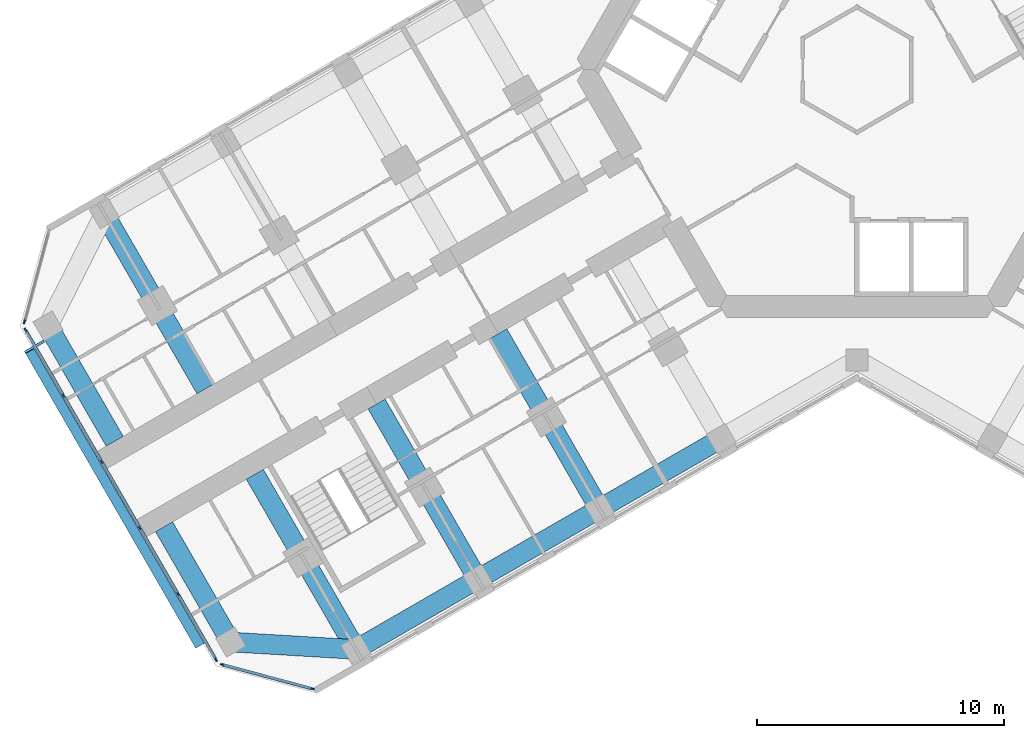
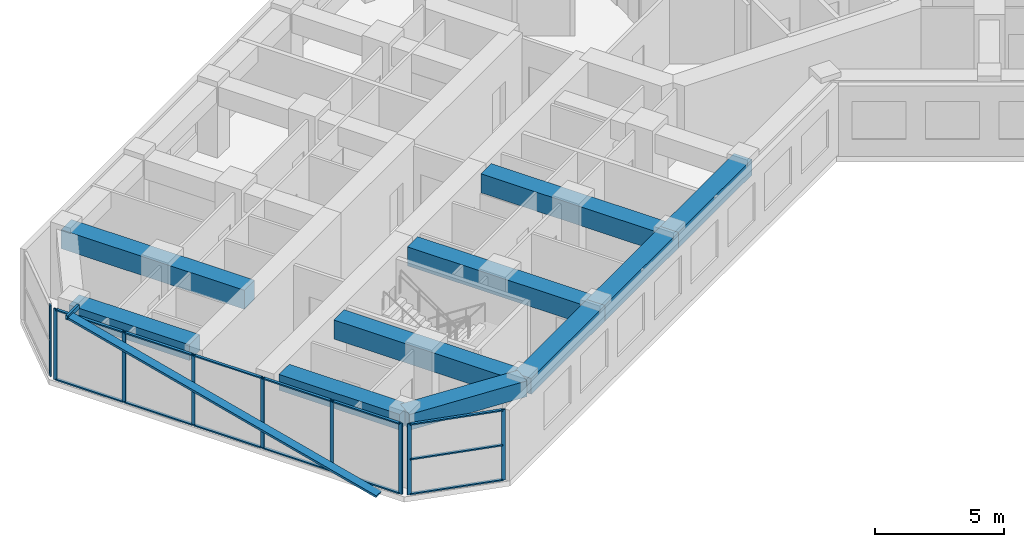
# One storey, part 2 of 19: 24 members, 10 beams, 3 elements without a shape of their own.
"""IFC4 building model written with IfcOpenShell, lengths in metres."""

from ifc_helpers import new_model, si_unit, direction, frame, origin, origin_2d, place, context, subcontext, project, spatial, rectangle, hollow_rectangle, extrude, material, material_profile, profile_set, type_object, element, aggregate, save


model = new_model("IFC4")

# Units and contexts
model_context = context("Model", 3, precision=1e-05, world=origin(), true_north=direction((0.0, 1.0)))
body_context = subcontext(model_context, "Body", "Model", "MODEL_VIEW")
ifc_project = project(units=[si_unit("LENGTHUNIT", "METRE"), si_unit("AREAUNIT", "SQUARE_METRE"), si_unit("VOLUMEUNIT", "CUBIC_METRE"), si_unit("PLANEANGLEUNIT", "RADIAN"), si_unit("MASSUNIT", "GRAM", prefix="KILO")], contexts=[model_context])

# Site, building, storey
site_placement = place(None, origin())
site = spatial("IfcSite", under=ifc_project, at=site_placement, CompositionType="ELEMENT")
building_placement = place(site_placement, origin())
building = spatial("IfcBuilding", under=site, at=building_placement, Name="Kosmar Iwan School Tower", CompositionType="ELEMENT")
storey_placement = place(building_placement, frame((0.0, 0.0, 172.39990234375)))
storey = spatial("IfcBuildingStorey", under=building, at=storey_placement, Name="L43", CompositionType="ELEMENT", Elevation=172.39990234375)

# Members
ifc_material_1 = material(Name="Black anodised aluminium", Category="aluminium")
ifc_material_profile_1 = material_profile(ifc_material_1, rectangle(XDim=0.10009765625, YDim=0.39990234375, at=origin_2d()), Name="FIN 100x400")
ifc_profile_set_1 = profile_set([ifc_material_profile_1], Name="Black anodised aluminium")
member_type_1 = type_object("IfcMemberType", Name="Diagonal fin 100x400", PredefinedType="USERDEFINED", material=ifc_profile_set_1)
member_1_placement = place(storey_placement, frame((-26.645263671875, -23.34912109375, -0.14990234375), z_axis=(-0.483793446988, 0.837970316603, 0.25248692866), x_axis=(0.126241714543, -0.218661104574, 0.96760030532)))
element("IfcMember", 1, at=member_1_placement, inside=storey, type_object=member_type_1, Name="Diagonal fin L43-F13", ObjectType="FIN", PredefinedType="USERDEFINED", context=body_context, shape_type="SweptSolid", body=[
    extrude(rectangle(XDim=0.10009765625, YDim=0.39990234375, at=origin_2d()), origin(), (0.0, 0.0, 1.0), 14.258544921875),
])
ifc_material_2 = material(Name="Steel S355", Category="steel")
ifc_material_profile_2 = material_profile(ifc_material_2, hollow_rectangle(XDim=0.10009765625, YDim=0.199951171875, WallThickness=0.008056640625, at=origin_2d()), Name="RHS 200x100x8")
ifc_profile_set_2 = profile_set([ifc_material_profile_2], Name="Steel S355")
member_type_2 = type_object("IfcMemberType", Name="Fin bracket RHS 200x100", PredefinedType="USERDEFINED", material=ifc_profile_set_2)
member_2_placement = place(storey_placement, frame((-32.963134765625, -11.006103515625, 3.47509765625), z_axis=(-0.866081705922, -0.499902469156, 0.0), x_axis=(0.499902469156, -0.866081705922, 0.0)))
element("IfcMember", 2, at=member_2_placement, inside=storey, type_object=member_type_2, Name="Fin bracket L44", ObjectType="FIN BRACKET", PredefinedType="USERDEFINED", context=body_context, shape_type="SweptSolid", body=[
    extrude(hollow_rectangle(XDim=0.10009765625, YDim=0.199951171875, WallThickness=0.008056640625, at=origin_2d()), origin(), (0.0, 0.0, 1.0), 0.900146484375),
])

# Curtain wall, member
ifc_material_3 = material(Name="Dark glass in black aluminium frame", Category="aluminium")
curtain_wall_type_1 = type_object("IfcCurtainWallType", Name="Chamfer curtain wall dark glass", PredefinedType="USERDEFINED", material=ifc_material_3)
curtain_wall_1_placement = place(storey_placement, origin())
curtain_wall_1 = element("IfcCurtainWall", 3, at=curtain_wall_1_placement, inside=storey, type_object=curtain_wall_type_1, Name="Curtain wall L43-F12", ObjectType="FACETED CURTAIN WALL", PredefinedType="USERDEFINED")
ifc_material_4 = material(Name="Black anodised aluminium", Category="aluminium")
ifc_material_profile_3 = material_profile(ifc_material_4, rectangle(XDim=0.06005859375, YDim=0.159912109375, at=origin_2d()), Name="MULLION 60x160")
ifc_profile_set_3 = profile_set([ifc_material_profile_3], Name="Black anodised aluminium")
member_type_3 = type_object("IfcMemberType", Name="Mullion 60x160", PredefinedType="MULLION", material=ifc_profile_set_3)
member_3_placement = place(storey_placement, frame((-33.7587890625, -10.2236328125, 0.0), z_axis=(0.0, 0.0, 1.0), x_axis=(0.965925875495, -0.258818861462, 0.0)))
member_3 = element("IfcMember", 4, at=member_3_placement, type_object=member_type_3, Name="CW2 mullion 2", PredefinedType="MULLION", context=body_context, shape_type="SweptSolid", body=[
    extrude(rectangle(XDim=0.06005859375, YDim=0.159912109375, at=origin_2d()), origin(), (0.0, 0.0, 1.0), 3.35009765625),
])
aggregate(curtain_wall_1, [member_3])

# Curtain wall, members
ifc_material_5 = material(Name="Dark glass in black aluminium frame", Category="aluminium")
curtain_wall_type_2 = type_object("IfcCurtainWallType", Name="Tower curtain wall dark glass", PredefinedType="USERDEFINED", material=ifc_material_5)
curtain_wall_2_placement = place(storey_placement, origin())
curtain_wall_2 = element("IfcCurtainWall", 5, at=curtain_wall_2_placement, inside=storey, type_object=curtain_wall_type_2, Name="Curtain wall L43-F13", ObjectType="UNITISED CURTAIN WALL", PredefinedType="USERDEFINED")
member_4_placement = place(storey_placement, frame((-33.71533203125, -10.55322265625, 0.0), z_axis=(0.0, 0.0, 1.0), x_axis=(0.866025405329, 0.499999997325, 0.0)))
member_4 = element("IfcMember", 6, at=member_4_placement, type_object=member_type_3, Name="CW1 mullion 1", PredefinedType="MULLION", context=body_context, shape_type="SweptSolid", body=[
    extrude(rectangle(XDim=0.06005859375, YDim=0.159912109375, at=origin_2d()), origin(), (0.0, 0.0, 1.0), 3.35009765625),
])
member_5_placement = place(storey_placement, frame((-32.1806640625, -13.21142578125, 0.0), z_axis=(0.0, 0.0, 1.0), x_axis=(0.866025405329, 0.499999997325, 0.0)))
member_5 = element("IfcMember", 7, at=member_5_placement, type_object=member_type_3, Name="CW1 mullion 2", PredefinedType="MULLION", context=body_context, shape_type="SweptSolid", body=[
    extrude(rectangle(XDim=0.06005859375, YDim=0.159912109375, at=origin_2d()), origin(), (0.0, 0.0, 1.0), 3.35009765625),
])
member_6_placement = place(storey_placement, frame((-30.631103515625, -15.8955078125, 0.0), z_axis=(0.0, 0.0, 1.0), x_axis=(0.866025405329, 0.499999997325, 0.0)))
member_6 = element("IfcMember", 8, at=member_6_placement, type_object=member_type_3, Name="CW1 mullion 3", PredefinedType="MULLION", context=body_context, shape_type="SweptSolid", body=[
    extrude(rectangle(XDim=0.06005859375, YDim=0.159912109375, at=origin_2d()), origin(), (0.0, 0.0, 1.0), 3.35009765625),
])
member_7_placement = place(storey_placement, frame((-29.081298828125, -18.57958984375, 0.0), z_axis=(0.0, 0.0, 1.0), x_axis=(0.866025405329, 0.499999997325, 0.0)))
member_7 = element("IfcMember", 9, at=member_7_placement, type_object=member_type_3, Name="CW1 mullion 4", PredefinedType="MULLION", context=body_context, shape_type="SweptSolid", body=[
    extrude(rectangle(XDim=0.06005859375, YDim=0.159912109375, at=origin_2d()), origin(), (0.0, 0.0, 1.0), 3.35009765625),
])
member_8_placement = place(storey_placement, frame((-27.53173828125, -21.263671875, 0.0), z_axis=(0.0, 0.0, 1.0), x_axis=(0.866025405329, 0.499999997325, 0.0)))
member_8 = element("IfcMember", 10, at=member_8_placement, type_object=member_type_3, Name="CW1 mullion 5", PredefinedType="MULLION", context=body_context, shape_type="SweptSolid", body=[
    extrude(rectangle(XDim=0.06005859375, YDim=0.159912109375, at=origin_2d()), origin(), (0.0, 0.0, 1.0), 3.35009765625),
])
member_9_placement = place(storey_placement, frame((-25.9970703125, -23.921630859375, 0.0), z_axis=(0.0, 0.0, 1.0), x_axis=(0.866025405329, 0.499999997325, 0.0)))
member_9 = element("IfcMember", 11, at=member_9_placement, type_object=member_type_3, Name="CW1 mullion 6", PredefinedType="MULLION", context=body_context, shape_type="SweptSolid", body=[
    extrude(rectangle(XDim=0.06005859375, YDim=0.159912109375, at=origin_2d()), origin(), (0.0, 0.0, 1.0), 3.35009765625),
])

curtain_wall_3_placement = place(storey_placement, origin())
curtain_wall_3 = element("IfcCurtainWall", 12, at=curtain_wall_3_placement, inside=storey, type_object=curtain_wall_type_1, Name="Curtain wall L43-F14", ObjectType="FACETED CURTAIN WALL", PredefinedType="USERDEFINED")
member_10_placement = place(storey_placement, frame((-25.733154296875, -24.124267578125, 0.0), z_axis=(0.0, 0.0, 1.0), x_axis=(0.258818861462, 0.965925875495, 0.0)))
member_10 = element("IfcMember", 13, at=member_10_placement, type_object=member_type_3, Name="CW2 mullion 1", PredefinedType="MULLION", context=body_context, shape_type="SweptSolid", body=[
    extrude(rectangle(XDim=0.06005859375, YDim=0.159912109375, at=origin_2d()), origin(), (0.0, 0.0, 1.0), 3.35009765625),
])
member_11_placement = place(storey_placement, frame((-22.0830078125, -25.102294921875, 0.0), z_axis=(0.0, 0.0, 1.0), x_axis=(0.258818861462, 0.965925875495, 0.0)))
member_11 = element("IfcMember", 14, at=member_11_placement, type_object=member_type_3, Name="CW2 mullion 2", PredefinedType="MULLION", context=body_context, shape_type="SweptSolid", body=[
    extrude(rectangle(XDim=0.06005859375, YDim=0.159912109375, at=origin_2d()), origin(), (0.0, 0.0, 1.0), 3.35009765625),
])

# Beams
ifc_material_6 = material(Name="Concrete C50/60", Category="concrete")
ifc_material_profile_4 = material_profile(ifc_material_6, rectangle(XDim=0.800048828125, YDim=0.75, at=origin_2d()), Name="RC 800x750")
ifc_profile_set_4 = profile_set([ifc_material_profile_4], Name="Concrete C50/60")
beam_type_1 = type_object("IfcBeamType", Name="RC edge beam 800x750", PredefinedType="BEAM", material=ifc_profile_set_4)
beam_1_placement = place(storey_placement, frame((-5.5087890625, -14.95849609375, 2.97509765625), z_axis=(-0.866033658841, -0.49998570155, 0.0), x_axis=(0.49998570155, -0.866033658841, 0.0)))
element("IfcBeam", 15, at=beam_1_placement, inside=storey, type_object=beam_type_1, Name="Edge beam BL2", PredefinedType="BEAM", context=body_context, shape_type="SweptSolid", body=[
    extrude(rectangle(XDim=0.800048828125, YDim=0.75, at=origin_2d()), origin(), (0.0, 0.0, 1.0), 5.699951171875),
])
beam_2_placement = place(storey_placement, frame((-10.445068359375, -17.808349609375, 2.97509765625), z_axis=(-0.866025820012, -0.499999279071, 0.0), x_axis=(0.499999279071, -0.866025820012, 0.0)))
element("IfcBeam", 16, at=beam_2_placement, inside=storey, type_object=beam_type_1, Name="Edge beam BL3", PredefinedType="BEAM", context=body_context, shape_type="SweptSolid", body=[
    extrude(rectangle(XDim=0.800048828125, YDim=0.75, at=origin_2d()), origin(), (0.0, 0.0, 1.0), 5.7001953125),
])
beam_3_placement = place(storey_placement, frame((-15.381591796875, -20.658447265625, 2.97509765625), z_axis=(-0.866015111908, -0.50001782563, 0.0), x_axis=(0.50001782563, -0.866015111908, 0.0)))
element("IfcBeam", 17, at=beam_3_placement, inside=storey, type_object=beam_type_1, Name="Edge beam BL4", PredefinedType="BEAM", context=body_context, shape_type="SweptSolid", body=[
    extrude(rectangle(XDim=0.800048828125, YDim=0.75, at=origin_2d()), origin(), (0.0, 0.0, 1.0), 5.699951171875),
])
ifc_material_7 = material(Name="Concrete C50/60", Category="concrete")
ifc_material_profile_5 = material_profile(ifc_material_7, rectangle(XDim=0.800048828125, YDim=0.75, at=origin_2d()), Name="RC 800x750")
ifc_profile_set_5 = profile_set([ifc_material_profile_5], Name="Concrete C50/60")
beam_type_2 = type_object("IfcBeamType", Name="RC tip beam 800x750", PredefinedType="BEAM", material=ifc_profile_set_5)
beam_4_placement = place(storey_placement, frame((-20.31787109375, -23.508544921875, 2.97509765625), z_axis=(-0.998260616478, 0.058955420358, 0.0), x_axis=(-0.058955420358, -0.998260616478, 0.0)))
element("IfcBeam", 18, at=beam_4_placement, inside=storey, type_object=beam_type_2, Name="Tip beam BL", PredefinedType="BEAM", context=body_context, shape_type="SweptSolid", body=[
    extrude(rectangle(XDim=0.800048828125, YDim=0.75, at=origin_2d()), origin(), (0.0, 0.0, 1.0), 5.08935546875),
])
for number, where, z_axis, x_axis, name in (
    (19, (-25.3984375, -23.20849609375, 2.97509765625), (-0.499995103361, 0.866028230842, 0.0), (-0.866028230842, -0.499995103361, 0.0), "Tip beam BL to corridor wall"),
    (20, (-32.79833984375, -10.391357421875, 2.97509765625), (0.499995103361, -0.866028230842, 0.0), (0.866028230842, 0.499995103361, 0.0), "Tip beam BR to corridor wall"),
):
    element("IfcBeam", number, at=place(storey_placement, frame(where, z_axis=z_axis, x_axis=x_axis)), inside=storey, type_object=beam_type_2, Name=name, PredefinedType="BEAM", context=body_context, shape_type="SweptSolid", body=[
        extrude(rectangle(XDim=0.800048828125, YDim=0.75, at=origin_2d()), origin(), (0.0, 0.0, 1.0), 5.39990234375),
    ])
ifc_material_8 = material(Name="Concrete C50/60", Category="concrete")
ifc_material_profile_6 = material_profile(ifc_material_8, rectangle(XDim=0.800048828125, YDim=0.89990234375, at=origin_2d()), Name="RC 800x900")
ifc_profile_set_6 = profile_set([ifc_material_profile_6], Name="Concrete C50/60")
beam_type_3 = type_object("IfcBeamType", Name="RC transverse beam 800x900", PredefinedType="BEAM", material=ifc_profile_set_6)
for number, where, z_axis, x_axis, name in (
    (21, (-10.445068359375, -17.808349609375, 2.900146484375), (-0.500013681986, 0.866017504342, 0.0), (-0.866017504342, -0.500013681986, 0.0), "Transverse beam BL2"),
    (22, (-15.381591796875, -20.658447265625, 2.900146484375), (-0.49999135188, 0.866030396721, 0.0), (-0.866030396721, -0.49999135188, 0.0), "Transverse beam BL3"),
    (23, (-20.31787109375, -23.508544921875, 2.900146484375), (-0.499978459874, 0.866037839625, 0.0), (-0.866037839625, -0.499978459874, 0.0), "Transverse beam BL4"),
    (24, (-30.517822265625, -5.841552734375, 2.900146484375), (0.500013681986, -0.866017504342, 0.0), (0.866017504342, 0.500013681986, 0.0), "Transverse beam BR4"),
):
    element("IfcBeam", number, at=place(storey_placement, frame(where, z_axis=z_axis, x_axis=x_axis)), inside=storey, type_object=beam_type_3, Name=name, PredefinedType="BEAM", context=body_context, shape_type="SweptSolid", body=[
        extrude(rectangle(XDim=0.800048828125, YDim=0.89990234375, at=origin_2d()), origin(), (0.0, 0.0, 1.0), 8.199951171875),
    ])

# Member
ifc_material_9 = material(Name="Black anodised aluminium", Category="aluminium")
ifc_material_profile_7 = material_profile(ifc_material_9, rectangle(XDim=0.1201171875, YDim=0.06005859375, at=origin_2d()), Name="TRANSOM 60x120")
ifc_profile_set_7 = profile_set([ifc_material_profile_7], Name="Black anodised aluminium")
member_type_4 = type_object("IfcMemberType", Name="Transom 60x120", PredefinedType="USERDEFINED", material=ifc_profile_set_7)
member_12_placement = place(storey_placement, frame((-33.700439453125, -10.579345703125, 0.030029296875), z_axis=(0.500022102064, -0.866012642776, 0.0), x_axis=(0.866012642776, 0.500022102064, 0.0)))
member_12 = element("IfcMember", 25, at=member_12_placement, type_object=member_type_4, Name="CW1 transom 1.1", ObjectType="TRANSOM", PredefinedType="USERDEFINED", context=body_context, shape_type="SweptSolid", body=[
    extrude(rectangle(XDim=0.1201171875, YDim=0.06005859375, at=origin_2d()), origin(), (0.0, 0.0, 1.0), 3.009033203125),
])

member_13_placement = place(storey_placement, frame((-33.700439453125, -10.579345703125, 3.320068359375), z_axis=(0.500022102064, -0.866012642776, 0.0), x_axis=(0.866012642776, 0.500022102064, 0.0)))
member_13 = element("IfcMember", 26, at=member_13_placement, type_object=member_type_4, Name="CW1 transom 1.2", ObjectType="TRANSOM", PredefinedType="USERDEFINED", context=body_context, shape_type="SweptSolid", body=[
    extrude(rectangle(XDim=0.1201171875, YDim=0.06005859375, at=origin_2d()), origin(), (0.0, 0.0, 1.0), 3.009033203125),
])

member_14_placement = place(storey_placement, frame((-32.165771484375, -13.2373046875, 0.030029296875), z_axis=(0.500035348339, -0.866004994449, 0.0), x_axis=(0.866004994449, 0.500035348339, 0.0)))
member_14 = element("IfcMember", 27, at=member_14_placement, type_object=member_type_4, Name="CW1 transom 2.1", ObjectType="TRANSOM", PredefinedType="USERDEFINED", context=body_context, shape_type="SweptSolid", body=[
    extrude(rectangle(XDim=0.1201171875, YDim=0.06005859375, at=origin_2d()), origin(), (0.0, 0.0, 1.0), 3.039306640625),
])

member_15_placement = place(storey_placement, frame((-32.165771484375, -13.2373046875, 3.320068359375), z_axis=(0.500035348339, -0.866004994449, 0.0), x_axis=(0.866004994449, 0.500035348339, 0.0)))
member_15 = element("IfcMember", 28, at=member_15_placement, type_object=member_type_4, Name="CW1 transom 2.2", ObjectType="TRANSOM", PredefinedType="USERDEFINED", context=body_context, shape_type="SweptSolid", body=[
    extrude(rectangle(XDim=0.1201171875, YDim=0.06005859375, at=origin_2d()), origin(), (0.0, 0.0, 1.0), 3.039306640625),
])

member_16_placement = place(storey_placement, frame((-30.615966796875, -15.92138671875, 0.030029296875), z_axis=(0.499975102327, -0.866039777986, 0.0), x_axis=(0.866039777986, 0.499975102327, 0.0)))
member_16 = element("IfcMember", 29, at=member_16_placement, type_object=member_type_4, Name="CW1 transom 3.1", ObjectType="TRANSOM", PredefinedType="USERDEFINED", context=body_context, shape_type="SweptSolid", body=[
    extrude(rectangle(XDim=0.1201171875, YDim=0.06005859375, at=origin_2d()), origin(), (0.0, 0.0, 1.0), 3.039306640625),
])

member_17_placement = place(storey_placement, frame((-30.615966796875, -15.92138671875, 3.320068359375), z_axis=(0.499975102327, -0.866039777986, 0.0), x_axis=(0.866039777986, 0.499975102327, 0.0)))
member_17 = element("IfcMember", 30, at=member_17_placement, type_object=member_type_4, Name="CW1 transom 3.2", ObjectType="TRANSOM", PredefinedType="USERDEFINED", context=body_context, shape_type="SweptSolid", body=[
    extrude(rectangle(XDim=0.1201171875, YDim=0.06005859375, at=origin_2d()), origin(), (0.0, 0.0, 1.0), 3.039306640625),
])

member_18_placement = place(storey_placement, frame((-29.06640625, -18.60546875, 0.030029296875), z_axis=(0.499975102327, -0.866039777986, 0.0), x_axis=(0.866039777986, 0.499975102327, 0.0)))
member_18 = element("IfcMember", 31, at=member_18_placement, type_object=member_type_4, Name="CW1 transom 4.1", ObjectType="TRANSOM", PredefinedType="USERDEFINED", context=body_context, shape_type="SweptSolid", body=[
    extrude(rectangle(XDim=0.1201171875, YDim=0.06005859375, at=origin_2d()), origin(), (0.0, 0.0, 1.0), 3.039306640625),
])

member_19_placement = place(storey_placement, frame((-29.06640625, -18.60546875, 3.320068359375), z_axis=(0.499975102327, -0.866039777986, 0.0), x_axis=(0.866039777986, 0.499975102327, 0.0)))
member_19 = element("IfcMember", 32, at=member_19_placement, type_object=member_type_4, Name="CW1 transom 4.2", ObjectType="TRANSOM", PredefinedType="USERDEFINED", context=body_context, shape_type="SweptSolid", body=[
    extrude(rectangle(XDim=0.1201171875, YDim=0.06005859375, at=origin_2d()), origin(), (0.0, 0.0, 1.0), 3.039306640625),
])

member_20_placement = place(storey_placement, frame((-27.516845703125, -21.28955078125, 0.030029296875), z_axis=(0.499986971506, -0.866032925658, 0.0), x_axis=(0.866032925658, 0.499986971506, 0.0)))
member_20 = element("IfcMember", 33, at=member_20_placement, type_object=member_type_4, Name="CW1 transom 5.1", ObjectType="TRANSOM", PredefinedType="USERDEFINED", context=body_context, shape_type="SweptSolid", body=[
    extrude(rectangle(XDim=0.1201171875, YDim=0.06005859375, at=origin_2d()), origin(), (0.0, 0.0, 1.0), 3.00927734375),
])

member_21_placement = place(storey_placement, frame((-27.516845703125, -21.28955078125, 3.320068359375), z_axis=(0.499986971506, -0.866032925658, 0.0), x_axis=(0.866032925658, 0.499986971506, 0.0)))
member_21 = element("IfcMember", 34, at=member_21_placement, type_object=member_type_4, Name="CW1 transom 5.2", ObjectType="TRANSOM", PredefinedType="USERDEFINED", context=body_context, shape_type="SweptSolid", body=[
    extrude(rectangle(XDim=0.1201171875, YDim=0.06005859375, at=origin_2d()), origin(), (0.0, 0.0, 1.0), 3.00927734375),
])

aggregate(curtain_wall_2, [member_4, member_5, member_6, member_7, member_8, member_9, member_12, member_13, member_14, member_15, member_16, member_17, member_18, member_19, member_20, member_21])

member_22_placement = place(storey_placement, frame((-25.704345703125, -24.1318359375, 0.030029296875), z_axis=(0.965923731726, -0.258826861991, 0.0), x_axis=(0.258826861991, 0.965923731726, 0.0)))
member_22 = element("IfcMember", 35, at=member_22_placement, type_object=member_type_4, Name="CW2 transom 1.1", ObjectType="TRANSOM", PredefinedType="USERDEFINED", context=body_context, shape_type="SweptSolid", body=[
    extrude(rectangle(XDim=0.1201171875, YDim=0.06005859375, at=origin_2d()), origin(), (0.0, 0.0, 1.0), 3.71923828125),
])

member_23_placement = place(storey_placement, frame((-25.704345703125, -24.1318359375, 1.675048828125), z_axis=(0.965923731726, -0.258826861991, 0.0), x_axis=(0.258826861991, 0.965923731726, 0.0)))
member_23 = element("IfcMember", 36, at=member_23_placement, type_object=member_type_4, Name="CW2 transom 1.2", ObjectType="TRANSOM", PredefinedType="USERDEFINED", context=body_context, shape_type="SweptSolid", body=[
    extrude(rectangle(XDim=0.1201171875, YDim=0.06005859375, at=origin_2d()), origin(), (0.0, 0.0, 1.0), 3.71923828125),
])

member_24_placement = place(storey_placement, frame((-25.704345703125, -24.1318359375, 3.320068359375), z_axis=(0.965923731726, -0.258826861991, 0.0), x_axis=(0.258826861991, 0.965923731726, 0.0)))
member_24 = element("IfcMember", 37, at=member_24_placement, type_object=member_type_4, Name="CW2 transom 1.3", ObjectType="TRANSOM", PredefinedType="USERDEFINED", context=body_context, shape_type="SweptSolid", body=[
    extrude(rectangle(XDim=0.1201171875, YDim=0.06005859375, at=origin_2d()), origin(), (0.0, 0.0, 1.0), 3.71923828125),
])

aggregate(curtain_wall_3, [member_10, member_11, member_22, member_23, member_24])

save(model, "model.ifc")
